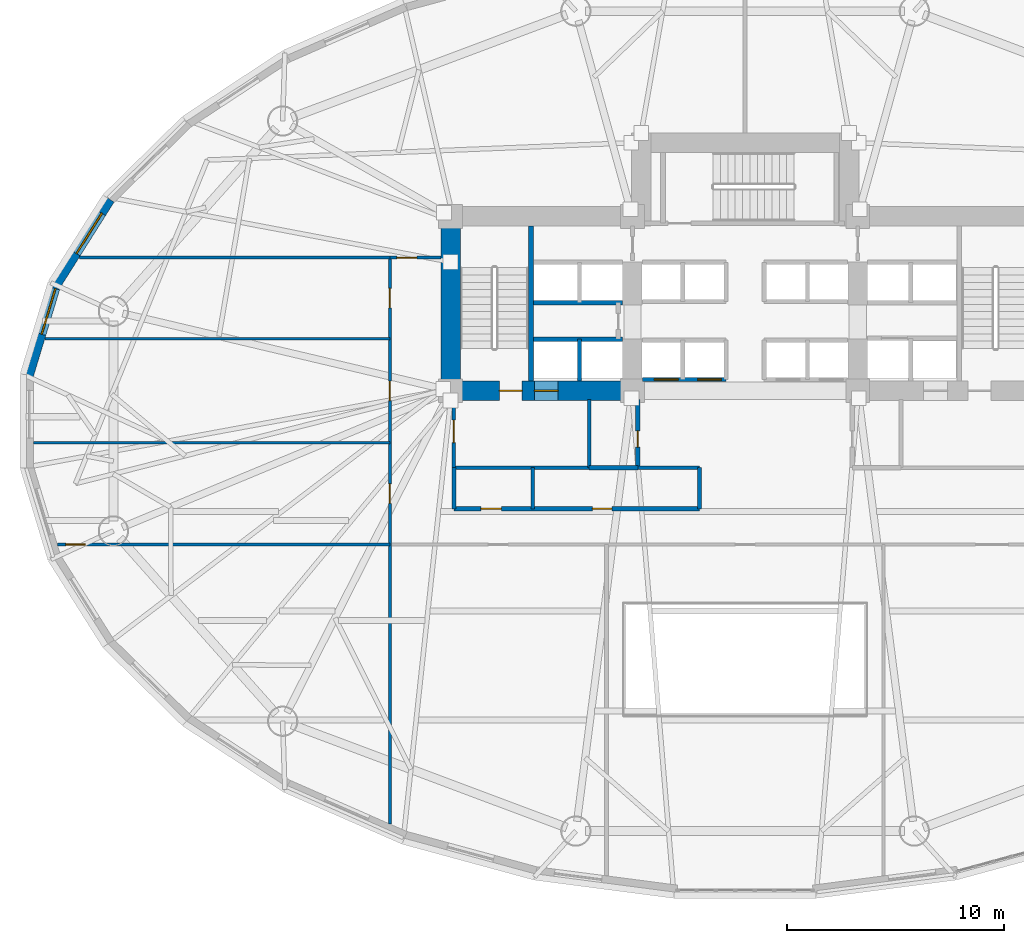
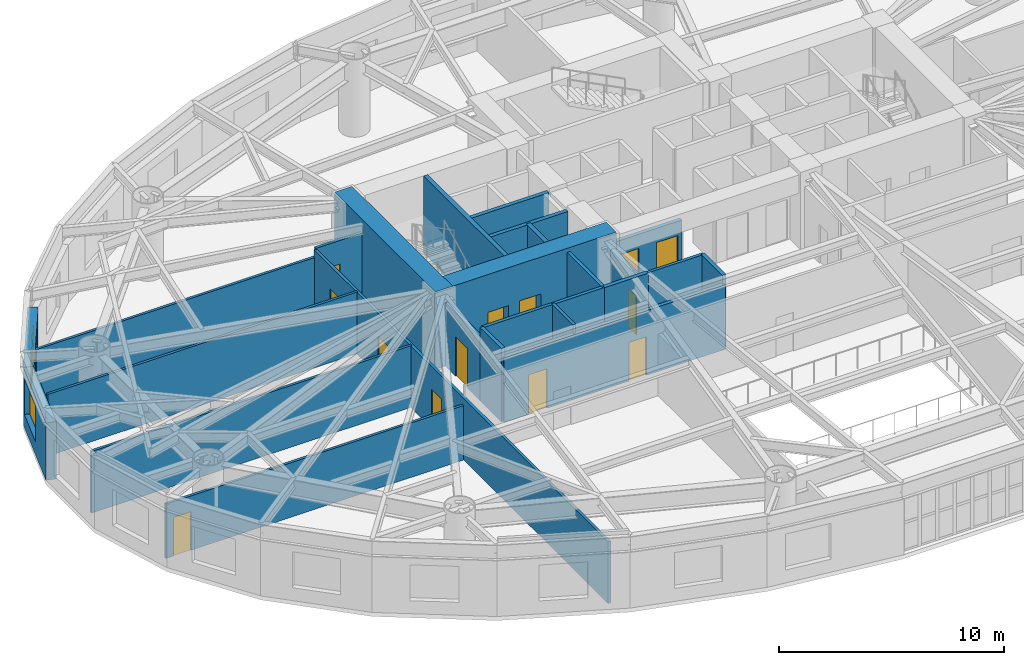
# One storey, part 9 of 19: 25 walls, 13 doors, 2 windows, 15 openings.
"""IFC4 building model written with IfcOpenShell, lengths in metres."""

from ifc_helpers import new_model, si_unit, direction, frame, frame_2d, origin, place, context, subcontext, project, spatial, rectangle, extrude, material, layer, layer_set, type_object, element, fill, save


model = new_model("IFC4")

# Units and contexts
model_context = context("Model", 3, precision=1e-05, world=origin(), true_north=direction((0.0, 1.0)))
body_context = subcontext(model_context, "Body", "Model", "MODEL_VIEW")
ifc_project = project(units=[si_unit("LENGTHUNIT", "METRE"), si_unit("AREAUNIT", "SQUARE_METRE"), si_unit("VOLUMEUNIT", "CUBIC_METRE"), si_unit("PLANEANGLEUNIT", "RADIAN"), si_unit("MASSUNIT", "GRAM", prefix="KILO")], contexts=[model_context])

# Site, building, storey
site_placement = place(None, origin())
site = spatial("IfcSite", under=ifc_project, at=site_placement, CompositionType="ELEMENT")
building_placement = place(site_placement, origin())
building = spatial("IfcBuilding", under=site, at=building_placement, Name="Keldmark Tower", CompositionType="ELEMENT")
storey_placement = place(building_placement, frame((0.0, 0.0, 10.199951171875)))
storey = spatial("IfcBuildingStorey", under=building, at=storey_placement, Name="L02", CompositionType="ELEMENT", Elevation=10.199951171875)

# Wall, openings, doors
ifc_material_1 = material(Name="Acoustic Double-Layer Gypsum Corridor Partition", Category="gypsum")
ifc_layer_1 = layer(ifc_material_1, 0.139892578125)
ifc_layer_set_1 = layer_set([ifc_layer_1], Name="Acoustic Double-Layer Gypsum Corridor Partition")
wall_type_1 = type_object("IfcWallType", Name="Acoustic Corridor Partition 140 mm", PredefinedType="PARTITIONING", material=ifc_layer_set_1)
wall_1_placement = place(storey_placement, frame((-16.39990234375, -18.6025390625, 0.0), z_axis=(0.0, 0.0, 1.0), x_axis=(0.0, 1.0, 0.0)))
wall_1 = element("IfcWall", 1, at=wall_1_placement, inside=storey, type_object=wall_type_1, Name="L02 Acoustic Corridor Partition 140 mm COR-W", PredefinedType="PARTITIONING", context=body_context, shape_type="SweptSolid", body=[
    extrude(rectangle(XDim=26.152587890625, YDim=0.139892578125, at=frame_2d((13.076171875, 0.0))), origin(), (0.0, 0.0, 1.0), 3.34814453125),
])
opening_1_placement = place(wall_1_placement, frame((14.80224609375, 0.0, 0.0)))
opening_1 = element("IfcOpeningElement", 2, at=opening_1_placement, cuts=wall_1, Name="Opening D-IN090", PredefinedType="OPENING", context=body_context, shape_type="SweptSolid", body=[
    extrude(rectangle(XDim=0.89990234375, YDim=2.10009765625, at=frame_2d((0.449951171875, 1.050048828125))), frame((0.0, 0.079833984375, 0.0), z_axis=(0.0, -1.0, 0.0), x_axis=(1.0, 0.0, 0.0)), (0.0, 0.0, 1.0), 0.159912109375),
])
opening_2_placement = place(wall_1_placement, frame((19.55224609375, 0.0, 0.0)))
opening_2 = element("IfcOpeningElement", 3, at=opening_2_placement, cuts=wall_1, Name="Opening D-IN090", PredefinedType="OPENING", context=body_context, shape_type="SweptSolid", body=[
    extrude(rectangle(XDim=0.89990234375, YDim=2.10009765625, at=frame_2d((0.449951171875, 1.050048828125))), frame((0.0, 0.079833984375, 0.0), z_axis=(0.0, -1.0, 0.0), x_axis=(1.0, 0.0, 0.0)), (0.0, 0.0, 1.0), 0.159912109375),
])
opening_3_placement = place(wall_1_placement, frame((23.827392578125, 0.0, 0.0)))
opening_3 = element("IfcOpeningElement", 4, at=opening_3_placement, cuts=wall_1, Name="Opening D-IN090", PredefinedType="OPENING", context=body_context, shape_type="SweptSolid", body=[
    extrude(rectangle(XDim=0.89990234375, YDim=2.10009765625, at=frame_2d((0.449951171875, 1.050048828125))), frame((0.0, 0.079833984375, 0.0), z_axis=(0.0, -1.0, 0.0), x_axis=(1.0, 0.0, 0.0)), (0.0, 0.0, 1.0), 0.159912109375),
])
ifc_material_2 = material(Name="Stained American White Oak Veneer", Category="wood")
door_type_1 = type_object("IfcDoorType", Name="Interior Door 900x2100", OperationType="NOTDEFINED", PredefinedType="DOOR", material=ifc_material_2)
door_1_placement = place(opening_1_placement, origin())
door_1 = element("IfcDoor", 5, at=door_1_placement, inside=storey, type_object=door_type_1, Name="L02 Interior Door 900x2100 D-WR-1-L02", OperationType="SINGLE_SWING_LEFT", OverallHeight=2.10009765625, OverallWidth=0.89990234375, PredefinedType="DOOR", context=body_context, shape_type="SweptSolid", body=[
    extrude(rectangle(XDim=0.89990234375, YDim=2.10009765625, at=frame_2d((0.449951171875, 1.050048828125))), frame((0.0, 0.02490234375, 0.0), z_axis=(0.0, -1.0, 0.0), x_axis=(1.0, 0.0, 0.0)), (0.0, 0.0, 1.0), 0.050048828125),
])
fill(opening_1, door_1)
door_2_placement = place(opening_2_placement, origin())
door_2 = element("IfcDoor", 6, at=door_2_placement, inside=storey, type_object=door_type_1, Name="L02 Interior Door 900x2100 D-WR-2-L02", OperationType="SINGLE_SWING_RIGHT", OverallHeight=2.10009765625, OverallWidth=0.89990234375, PredefinedType="DOOR", context=body_context, shape_type="SweptSolid", body=[
    extrude(rectangle(XDim=0.89990234375, YDim=2.10009765625, at=frame_2d((0.449951171875, 1.050048828125))), frame((0.0, 0.02490234375, 0.0), z_axis=(0.0, -1.0, 0.0), x_axis=(1.0, 0.0, 0.0)), (0.0, 0.0, 1.0), 0.050048828125),
])
fill(opening_2, door_2)
door_3_placement = place(opening_3_placement, origin())
door_3 = element("IfcDoor", 7, at=door_3_placement, inside=storey, type_object=door_type_1, Name="L02 Interior Door 900x2100 D-WR-3-L02", OperationType="SINGLE_SWING_LEFT", OverallHeight=2.10009765625, OverallWidth=0.89990234375, PredefinedType="DOOR", context=body_context, shape_type="SweptSolid", body=[
    extrude(rectangle(XDim=0.89990234375, YDim=2.10009765625, at=frame_2d((0.449951171875, 1.050048828125))), frame((0.0, 0.02490234375, 0.0), z_axis=(0.0, -1.0, 0.0), x_axis=(1.0, 0.0, 0.0)), (0.0, 0.0, 1.0), 0.050048828125),
])
fill(opening_3, door_3)

# Wall, opening, door
wall_2_placement = place(storey_placement, frame((-16.39990234375, 7.550048828125, 0.0), z_axis=(0.0, 0.0, 1.0), x_axis=(1.0, 0.0, 0.0)))
wall_2 = element("IfcWall", 8, at=wall_2_placement, inside=storey, type_object=wall_type_1, Name="L02 Acoustic Corridor Partition 140 mm COR-WN-CAP", PredefinedType="PARTITIONING", context=body_context, shape_type="SweptSolid", body=[
    extrude(rectangle(XDim=2.349853515625, YDim=0.139892578125, at=frame_2d((1.1748046875, 0.0))), origin(), (0.0, 0.0, 1.0), 3.43310546875),
])
opening_4_placement = place(wall_2_placement, frame((0.320068359375, 0.0, 0.0)))
opening_4 = element("IfcOpeningElement", 9, at=opening_4_placement, cuts=wall_2, Name="Opening D-EX092", PredefinedType="OPENING", context=body_context, shape_type="SweptSolid", body=[
    extrude(rectangle(XDim=0.919921875, YDim=2.14990234375, at=frame_2d((0.4599609375, 1.074951171875))), frame((0.0, 0.079833984375, 0.0), z_axis=(0.0, -1.0, 0.0), x_axis=(1.0, 0.0, 0.0)), (0.0, 0.0, 1.0), 0.159912109375),
])
ifc_material_3 = material(Name="Flush American Ash Executive Office Door", Category="wood")
door_type_2 = type_object("IfcDoorType", Name="Executive Office Door 920x2150", OperationType="NOTDEFINED", PredefinedType="DOOR", material=ifc_material_3)
door_4_placement = place(opening_4_placement, origin())
door_4 = element("IfcDoor", 10, at=door_4_placement, inside=storey, type_object=door_type_2, Name="L02 Executive Office Door 920x2150 D-NRNW-L02", OperationType="SINGLE_SWING_LEFT", OverallHeight=2.14990234375, OverallWidth=0.919921875, PredefinedType="DOOR", context=body_context, shape_type="SweptSolid", body=[
    extrude(rectangle(XDim=0.919921875, YDim=2.14990234375, at=frame_2d((0.4599609375, 1.074951171875))), frame((0.0, 0.02490234375, 0.0), z_axis=(0.0, -1.0, 0.0), x_axis=(1.0, 0.0, 0.0)), (0.0, 0.0, 1.0), 0.050048828125),
])
fill(opening_4, door_4)

# Wall, openings, doors
ifc_material_4 = material(Name="Heavy Acoustic Plumbing Chase Gypsum Assembly", Category="gypsum")
ifc_layer_2 = layer(ifc_material_4, 0.18994140625)
ifc_layer_set_2 = layer_set([ifc_layer_2], Name="Heavy Acoustic Plumbing Chase Gypsum Assembly")
wall_type_2 = type_object("IfcWallType", Name="Heavy Wet Wall 190 mm", PredefinedType="PLUMBINGWALL", material=ifc_layer_set_2)
wall_3_placement = place(storey_placement, frame((-13.449951171875, -4.050048828125, 0.0), z_axis=(0.0, 0.0, 1.0), x_axis=(1.0, 0.0, 0.0)))
wall_3 = element("IfcWall", 11, at=wall_3_placement, inside=storey, type_object=wall_type_2, Name="L02 Heavy Wet Wall 190 mm SPK-W-S", PredefinedType="PLUMBINGWALL", context=body_context, shape_type="SweptSolid", body=[
    extrude(rectangle(XDim=11.349853515625, YDim=0.18994140625, at=frame_2d((5.6748046875, 0.0))), origin(), (0.0, 0.0, 1.0), 3.507080078125),
])
opening_5_placement = place(wall_3_placement, frame((1.25, 0.0, 0.0)))
opening_5 = element("IfcOpeningElement", 12, at=opening_5_placement, cuts=wall_3, Name="Opening D-AWC95", PredefinedType="OPENING", context=body_context, shape_type="SweptSolid", body=[
    extrude(rectangle(XDim=0.949951171875, YDim=2.14990234375, at=frame_2d((0.47509765625, 1.074951171875))), frame((0.0, 0.10498046875, 0.0), z_axis=(0.0, -1.0, 0.0), x_axis=(1.0, 0.0, 0.0)), (0.0, 0.0, 1.0), 0.2099609375),
])
opening_6_placement = place(wall_3_placement, frame((6.39990234375, 0.0, 0.0)))
opening_6 = element("IfcOpeningElement", 13, at=opening_6_placement, cuts=wall_3, Name="Opening D-IN090", PredefinedType="OPENING", context=body_context, shape_type="SweptSolid", body=[
    extrude(rectangle(XDim=0.89990234375, YDim=2.10009765625, at=frame_2d((0.449951171875, 1.050048828125))), frame((0.0, 0.10498046875, 0.0), z_axis=(0.0, -1.0, 0.0), x_axis=(1.0, 0.0, 0.0)), (0.0, 0.0, 1.0), 0.2099609375),
])
ifc_material_5 = material(Name="Painted Solid-Core Architectural Wood", Category="wood")
door_type_3 = type_object("IfcDoorType", Name="Accessible WC Door 950x2150", OperationType="NOTDEFINED", PredefinedType="DOOR", material=ifc_material_5)
door_5_placement = place(opening_5_placement, origin())
door_5 = element("IfcDoor", 14, at=door_5_placement, inside=storey, type_object=door_type_3, Name="L02 Accessible WC Door 950x2150 D-SPKW1-L02", OperationType="SINGLE_SWING_LEFT", OverallHeight=2.14990234375, OverallWidth=0.949951171875, PredefinedType="DOOR", context=body_context, shape_type="SweptSolid", body=[
    extrude(rectangle(XDim=0.949951171875, YDim=2.14990234375, at=frame_2d((0.47509765625, 1.074951171875))), frame((0.0, 0.02490234375, 0.0), z_axis=(0.0, -1.0, 0.0), x_axis=(1.0, 0.0, 0.0)), (0.0, 0.0, 1.0), 0.050048828125),
])
fill(opening_5, door_5)
door_6_placement = place(opening_6_placement, origin())
door_6 = element("IfcDoor", 15, at=door_6_placement, inside=storey, type_object=door_type_1, Name="L02 Interior Door 900x2100 D-SPKW2-L02", OperationType="SINGLE_SWING_RIGHT", OverallHeight=2.10009765625, OverallWidth=0.89990234375, PredefinedType="DOOR", context=body_context, shape_type="SweptSolid", body=[
    extrude(rectangle(XDim=0.89990234375, YDim=2.10009765625, at=frame_2d((0.449951171875, 1.050048828125))), frame((0.0, 0.02490234375, 0.0), z_axis=(0.0, -1.0, 0.0), x_axis=(1.0, 0.0, 0.0)), (0.0, 0.0, 1.0), 0.050048828125),
])
fill(opening_6, door_6)

# Walls
for number, where, z_axis, x_axis, name in (
    (16, (-13.449951171875, -4.050048828125, 0.0), (0.0, 0.0, 1.0), (0.0, 1.0, 0.0), "L02 Heavy Wet Wall 190 mm SPK-W-W"),
    (17, (-2.10009765625, -4.050048828125, 0.0), (0.0, 0.0, 1.0), (0.0, 1.0, 0.0), "L02 Heavy Wet Wall 190 mm SPK-W-E"),
):
    element("IfcWall", number, at=place(storey_placement, frame(where, z_axis=z_axis, x_axis=x_axis)), inside=storey, type_object=wall_type_2, Name=name, PredefinedType="PLUMBINGWALL", context=body_context, shape_type="SweptSolid", body=[
        extrude(rectangle(XDim=1.900146484375, YDim=0.18994140625, at=frame_2d((0.9501953125, 0.0))), origin(), (0.0, 0.0, 1.0), 3.97998046875),
    ])
ifc_material_6 = material(Name="Acoustic Gypsum Board Interior Partition", Category="gypsum")
ifc_layer_3 = layer(ifc_material_6, 0.1298828125)
ifc_layer_set_3 = layer_set([ifc_layer_3], Name="Acoustic Gypsum Board Interior Partition")
wall_type_3 = type_object("IfcWallType", Name="Interior Partition 130 mm", PredefinedType="PARTITIONING", material=ifc_layer_set_3)
wall_4_placement = place(storey_placement, frame((-30.74658203125, 7.550048828125, 0.0), z_axis=(0.0, 0.0, 1.0), x_axis=(1.0, 0.0, 0.0)))
element("IfcWall", 18, at=wall_4_placement, inside=storey, type_object=wall_type_3, Name="L02 Interior Partition 130 mm W-CAP-N", PredefinedType="PARTITIONING", context=body_context, shape_type="SweptSolid", body=[
    extrude(rectangle(XDim=14.3466796875, YDim=0.1298828125, at=frame_2d((7.17333984375, 0.0))), origin(), (0.0, 0.0, 1.0), 2.9580078125),
])

# Wall, opening, door
wall_5_placement = place(storey_placement, frame((-31.755615234375, -5.699951171875, 0.0), z_axis=(0.0, 0.0, 1.0), x_axis=(1.0, 0.0, 0.0)))
wall_5 = element("IfcWall", 19, at=wall_5_placement, inside=storey, type_object=wall_type_3, Name="L02 Interior Partition 130 mm W-CAP-S", PredefinedType="PARTITIONING", context=body_context, shape_type="SweptSolid", body=[
    extrude(rectangle(XDim=15.355712890625, YDim=0.1298828125, at=frame_2d((7.677734375, 0.0))), origin(), (0.0, 0.0, 1.0), 2.9580078125),
])
opening_7_placement = place(wall_5_placement, frame((0.389892578125, 0.0, 0.0)))
opening_7 = element("IfcOpeningElement", 20, at=opening_7_placement, cuts=wall_5, Name="Opening D-IN090", PredefinedType="OPENING", context=body_context, shape_type="SweptSolid", body=[
    extrude(rectangle(XDim=0.89990234375, YDim=2.10009765625, at=frame_2d((0.449951171875, 1.050048828125))), frame((0.0, 0.074951171875, 0.0), z_axis=(0.0, -1.0, 0.0), x_axis=(1.0, 0.0, 0.0)), (0.0, 0.0, 1.0), 0.14990234375),
])
door_7_placement = place(opening_7_placement, origin())
door_7 = element("IfcDoor", 21, at=door_7_placement, inside=storey, type_object=door_type_1, Name="L02 Interior Door 900x2100 D-WRSW-L02", OperationType="SINGLE_SWING_LEFT", OverallHeight=2.10009765625, OverallWidth=0.89990234375, PredefinedType="DOOR", context=body_context, shape_type="SweptSolid", body=[
    extrude(rectangle(XDim=0.89990234375, YDim=2.10009765625, at=frame_2d((0.449951171875, 1.050048828125))), frame((0.0, 0.02490234375, 0.0), z_axis=(0.0, -1.0, 0.0), x_axis=(1.0, 0.0, 0.0)), (0.0, 0.0, 1.0), 0.050048828125),
])
fill(opening_7, door_7)

# Walls
wall_6_placement = place(storey_placement, frame((-32.8505859375, -1.0, 0.0), z_axis=(0.0, 0.0, 1.0), x_axis=(1.0, 0.0, 0.0)))
element("IfcWall", 22, at=wall_6_placement, inside=storey, type_object=wall_type_3, Name="L02 Interior Partition 130 mm W-DIV-1", PredefinedType="PARTITIONING", context=body_context, shape_type="SweptSolid", body=[
    extrude(rectangle(XDim=16.45068359375, YDim=0.1298828125, at=frame_2d((8.225341796875, 0.0))), origin(), (0.0, 0.0, 1.0), 3.34814453125),
])
wall_7_placement = place(storey_placement, frame((-32.3310546875, 3.800048828125, 0.0), z_axis=(0.0, 0.0, 1.0), x_axis=(1.0, 0.0, 0.0)))
element("IfcWall", 23, at=wall_7_placement, inside=storey, type_object=wall_type_3, Name="L02 Interior Partition 130 mm W-DIV-2", PredefinedType="PARTITIONING", context=body_context, shape_type="SweptSolid", body=[
    extrude(rectangle(XDim=15.93115234375, YDim=0.1298828125, at=frame_2d((7.965576171875, 0.0))), origin(), (0.0, 0.0, 1.0), 3.34814453125),
])
ifc_material_7 = material(Name="Concrete C70/85", Category="concrete")
ifc_layer_4 = layer(ifc_material_7, 0.89990234375)
ifc_layer_set_4 = layer_set([ifc_layer_4], Name="Concrete C70/85")
wall_type_4 = type_object("IfcWallType", Name="Lower Core Shear Wall 900 mm", PredefinedType="SHEAR", material=ifc_layer_set_4)
wall_8_placement = place(storey_placement, frame((-13.60009765625, 0.949951171875, 0.0), z_axis=(0.0, 0.0, 1.0), x_axis=(0.0, 1.0, 0.0)))
element("IfcWall", 24, at=wall_8_placement, inside=storey, type_object=wall_type_4, Name="L02 West Core Outer Shear Wall", PredefinedType="SHEAR", context=body_context, shape_type="SweptSolid", body=[
    extrude(rectangle(XDim=8.949951171875, YDim=0.89990234375, at=frame_2d((4.47509765625, 0.0))), origin(), (0.0, 0.0, 1.0), 4.199951171875),
])

# Wall, openings, doors
wall_9_placement = place(storey_placement, frame((-4.75, 1.39990234375, 0.0), z_axis=(0.0, 0.0, 1.0), x_axis=(-1.0, 0.0, 0.0)))
wall_9 = element("IfcWall", 25, at=wall_9_placement, inside=storey, type_object=wall_type_4, Name="L02 West Core South Shear Wall", PredefinedType="SHEAR", context=body_context, shape_type="SweptSolid", body=[
    extrude(rectangle(XDim=9.300048828125, YDim=0.89990234375, at=frame_2d((4.64990234375, 0.0))), origin(), (0.0, 0.0, 1.0), 4.199951171875),
])
opening_8_placement = place(wall_9_placement, frame((5.550048828125, 0.0, 0.0)))
opening_8 = element("IfcOpeningElement", 26, at=opening_8_placement, cuts=wall_9, Name="Opening D-ST105", PredefinedType="OPENING", context=body_context, shape_type="SweptSolid", body=[
    extrude(rectangle(XDim=1.050048828125, YDim=2.14990234375, at=frame_2d((0.52490234375, 1.074951171875))), frame((0.0, 0.4599609375, 0.0), z_axis=(0.0, -1.0, 0.0), x_axis=(1.0, 0.0, 0.0)), (0.0, 0.0, 1.0), 0.919921875),
])
opening_9_placement = place(wall_9_placement, frame((3.8798828125, 0.0, 0.0)))
opening_9 = element("IfcOpeningElement", 27, at=opening_9_placement, cuts=wall_9, Name="Opening LD-110", PredefinedType="OPENING", context=body_context, shape_type="SweptSolid", body=[
    extrude(rectangle(XDim=1.10009765625, YDim=2.199951171875, at=frame_2d((0.550048828125, 1.10009765625))), frame((0.0, 0.4599609375, 0.0), z_axis=(0.0, -1.0, 0.0), x_axis=(1.0, 0.0, 0.0)), (0.0, 0.0, 1.0), 0.919921875),
])
ifc_material_8 = material(Name="Brushed Bronze Hoistway Sliding Leaf", Category="metal")
door_type_4 = type_object("IfcDoorType", Name="Lift Landing Sliding Door 1100x2200", OperationType="SLIDING_TO_LEFT", PredefinedType="DOOR", material=ifc_material_8)
door_8_placement = place(opening_9_placement, origin())
door_8 = element("IfcDoor", 28, at=door_8_placement, inside=storey, type_object=door_type_4, Name="L02 Lift Landing Sliding Door 1100x2200 LD-EL-FS1-L02", OperationType="SLIDING_TO_LEFT", OverallHeight=2.199951171875, OverallWidth=1.10009765625, PredefinedType="DOOR", context=body_context, shape_type="SweptSolid", body=[
    extrude(rectangle(XDim=1.10009765625, YDim=2.199951171875, at=frame_2d((0.550048828125, 1.10009765625))), frame((0.0, 0.02490234375, 0.0), z_axis=(0.0, -1.0, 0.0), x_axis=(1.0, 0.0, 0.0)), (0.0, 0.0, 1.0), 0.050048828125),
])
fill(opening_9, door_8)
ifc_material_9 = material(Name="Hollow Metal Fire-Rated Door Assembly", Category="metal")
door_type_5 = type_object("IfcDoorType", Name="Stair Fire Door 1050x2150", OperationType="NOTDEFINED", PredefinedType="DOOR", material=ifc_material_9)
door_9_placement = place(opening_8_placement, origin())
door_9 = element("IfcDoor", 29, at=door_9_placement, inside=storey, type_object=door_type_5, Name="L02 Stair Fire Door 1050x2150 D-ST1-L02", OperationType="SINGLE_SWING_RIGHT", OverallHeight=2.14990234375, OverallWidth=1.050048828125, PredefinedType="DOOR", context=body_context, shape_type="SweptSolid", body=[
    extrude(rectangle(XDim=1.050048828125, YDim=2.14990234375, at=frame_2d((0.52490234375, 1.074951171875))), frame((0.0, 0.02490234375, 0.0), z_axis=(0.0, -1.0, 0.0), x_axis=(1.0, 0.0, 0.0)), (0.0, 0.0, 1.0), 0.050048828125),
])
fill(opening_8, door_9)

# Wall, opening, window
ifc_material_10 = material(Name="Ironspot Manganese Brick and Kasota Buff Limestone Cavity Assembly", Category="masonry")
ifc_layer_5 = layer(ifc_material_10, 0.47998046875)
ifc_layer_set_5 = layer_set([ifc_layer_5], Name="Ironspot Manganese Brick and Kasota Buff Limestone Cavity Assembly")
wall_type_5 = type_object("IfcWallType", Name="Podium Brick and Limestone Cavity Wall 480 mm", PredefinedType="STANDARD", material=ifc_layer_set_5)
wall_10_placement = place(storey_placement, frame((-31.8544921875, 6.25830078125, 0.0), z_axis=(0.0, 0.0, 1.0), x_axis=(0.53349762721, 0.845801561693, 0.0)))
wall_10 = element("IfcWall", 30, at=wall_10_placement, inside=storey, type_object=wall_type_5, Name="L02 Exterior Brick and Spandrel Wall 14", PredefinedType="STANDARD", context=body_context, shape_type="SweptSolid", body=[
    extrude(rectangle(XDim=4.710693359375, YDim=0.47998046875, at=frame_2d((2.35546875, 0.0))), origin(), (0.0, 0.0, 1.0), 3.109130859375),
])
opening_10_placement = place(wall_10_placement, frame((1.770751953125, 0.0, 0.699951171875)))
opening_10 = element("IfcOpeningElement", 31, at=opening_10_placement, cuts=wall_10, Name="Opening W-01", PredefinedType="OPENING", context=body_context, shape_type="SweptSolid", body=[
    extrude(rectangle(XDim=2.199951171875, YDim=1.949951171875, at=frame_2d((1.10009765625, 0.97509765625))), frame((0.0, 0.25, 0.0), z_axis=(0.0, -1.0, 0.0), x_axis=(1.0, 0.0, 0.0)), (0.0, 0.0, 1.0), 0.5),
])
ifc_material_11 = material(Name="Thermally Broken Anodized Aluminum and Triple Low-E Argon Glazing", Category="aluminium")
window_type = type_object("IfcWindowType", Name="Podium Arched-Head Punched Window 2200x1950", PartitioningType="SINGLE_PANEL", PredefinedType="WINDOW", material=ifc_material_11)
window_1_placement = place(opening_10_placement, origin())
window_1 = element("IfcWindow", 32, at=window_1_placement, inside=storey, type_object=window_type, Name="L02 Deep-Set Window 14", OverallHeight=1.949951171875, OverallWidth=2.199951171875, PartitioningType="SINGLE_PANEL", PredefinedType="WINDOW", context=body_context, shape_type="SweptSolid", body=[
    extrude(rectangle(XDim=2.199951171875, YDim=1.949951171875, at=frame_2d((1.10009765625, 0.97509765625))), frame((0.0, -0.010009765625, 0.0), z_axis=(0.0, -1.0, 0.0), x_axis=(1.0, 0.0, 0.0)), (0.0, 0.0, 1.0), 0.06005859375),
])
fill(opening_10, window_1)

wall_11_placement = place(storey_placement, frame((-33.10888671875, 2.0869140625, 0.0), z_axis=(0.0, 0.0, 1.0), x_axis=(0.289855603468, 0.957070388811, 0.0)))
wall_11 = element("IfcWall", 33, at=wall_11_placement, inside=storey, type_object=wall_type_5, Name="L02 Exterior Brick and Spandrel Wall 15", PredefinedType="STANDARD", context=body_context, shape_type="SweptSolid", body=[
    extrude(rectangle(XDim=4.41943359375, YDim=0.47998046875, at=frame_2d((2.209716796875, 0.0))), origin(), (0.0, 0.0, 1.0), 3.109130859375),
])
opening_11_placement = place(wall_11_placement, frame((2.019775390625, 0.0, 0.699951171875)))
opening_11 = element("IfcOpeningElement", 34, at=opening_11_placement, cuts=wall_11, Name="Opening W-01", PredefinedType="OPENING", context=body_context, shape_type="SweptSolid", body=[
    extrude(rectangle(XDim=2.199951171875, YDim=1.949951171875, at=frame_2d((1.10009765625, 0.97509765625))), frame((0.0, 0.25, 0.0), z_axis=(0.0, -1.0, 0.0), x_axis=(1.0, 0.0, 0.0)), (0.0, 0.0, 1.0), 0.5),
])
window_2_placement = place(opening_11_placement, origin())
window_2 = element("IfcWindow", 35, at=window_2_placement, inside=storey, type_object=window_type, Name="L02 Deep-Set Window 15", OverallHeight=1.949951171875, OverallWidth=2.199951171875, PartitioningType="SINGLE_PANEL", PredefinedType="WINDOW", context=body_context, shape_type="SweptSolid", body=[
    extrude(rectangle(XDim=2.199951171875, YDim=1.949951171875, at=frame_2d((1.10009765625, 0.97509765625))), frame((0.0, -0.010009765625, 0.0), z_axis=(0.0, -1.0, 0.0), x_axis=(1.0, 0.0, 0.0)), (0.0, 0.0, 1.0), 0.06005859375),
])
fill(opening_11, window_2)

# Wall
ifc_material_12 = material(Name="Type X Fire-Rated Gypsum Partition Assembly", Category="gypsum")
ifc_layer_6 = layer(ifc_material_12, 0.1650390625)
ifc_layer_set_6 = layer_set([ifc_layer_6], Name="Type X Fire-Rated Gypsum Partition Assembly")
wall_type_6 = type_object("IfcWallType", Name="Rated Partition 165 mm", PredefinedType="PARTITIONING", material=ifc_layer_set_6)
wall_12_placement = place(storey_placement, frame((-13.449951171875, -2.14990234375, 0.0), z_axis=(0.0, 0.0, 1.0), x_axis=(1.0, 0.0, 0.0)))
element("IfcWall", 36, at=wall_12_placement, inside=storey, type_object=wall_type_6, Name="L02 Rated Partition 165 mm FSAE-W-S", PredefinedType="PARTITIONING", context=body_context, shape_type="SweptSolid", body=[
    extrude(rectangle(XDim=6.25, YDim=0.1650390625, at=frame_2d((3.125, 0.0))), origin(), (0.0, 0.0, 1.0), 3.97998046875),
])

# Wall, opening, door
wall_13_placement = place(storey_placement, frame((-13.449951171875, -2.14990234375, 0.0), z_axis=(0.0, 0.0, 1.0), x_axis=(0.0, 1.0, 0.0)))
wall_13 = element("IfcWall", 37, at=wall_13_placement, inside=storey, type_object=wall_type_6, Name="L02 Rated Partition 165 mm FSAE-W-W", PredefinedType="PARTITIONING", context=body_context, shape_type="SweptSolid", body=[
    extrude(rectangle(XDim=3.14990234375, YDim=0.1650390625, at=frame_2d((1.574951171875, 0.0))), origin(), (0.0, 0.0, 1.0), 3.43310546875),
])
opening_12_placement = place(wall_13_placement, frame((1.14990234375, 0.0, 0.0)))
opening_12 = element("IfcOpeningElement", 38, at=opening_12_placement, cuts=wall_13, Name="Opening D-FL105", PredefinedType="OPENING", context=body_context, shape_type="SweptSolid", body=[
    extrude(rectangle(XDim=1.050048828125, YDim=2.14990234375, at=frame_2d((0.52490234375, 1.074951171875))), frame((0.0, 0.092529296875, 0.0), z_axis=(0.0, -1.0, 0.0), x_axis=(1.0, 0.0, 0.0)), (0.0, 0.0, 1.0), 0.18505859375),
])
ifc_material_13 = material(Name="Fire-Rated Mineral-Core Door and Vision Lite", Category="metal")
door_type_6 = type_object("IfcDoorType", Name="Fire Lobby Door 1050x2150", OperationType="NOTDEFINED", PredefinedType="DOOR", material=ifc_material_13)
door_10_placement = place(opening_12_placement, origin())
door_10 = element("IfcDoor", 39, at=door_10_placement, inside=storey, type_object=door_type_6, Name="L02 Fire Lobby Door 1050x2150 D-FSAEW-OUT-L02", OperationType="SINGLE_SWING_LEFT", OverallHeight=2.14990234375, OverallWidth=1.050048828125, PredefinedType="DOOR", context=body_context, shape_type="SweptSolid", body=[
    extrude(rectangle(XDim=1.050048828125, YDim=2.14990234375, at=frame_2d((0.52490234375, 1.074951171875))), frame((0.0, 0.02490234375, 0.0), z_axis=(0.0, -1.0, 0.0), x_axis=(1.0, 0.0, 0.0)), (0.0, 0.0, 1.0), 0.050048828125),
])
fill(opening_12, door_10)

# Walls
wall_14_placement = place(storey_placement, frame((-7.199951171875, -2.14990234375, 0.0), z_axis=(0.0, 0.0, 1.0), x_axis=(0.0, 1.0, 0.0)))
element("IfcWall", 40, at=wall_14_placement, inside=storey, type_object=wall_type_6, Name="L02 Rated Partition 165 mm FSAE-W-E", PredefinedType="PARTITIONING", context=body_context, shape_type="SweptSolid", body=[
    extrude(rectangle(XDim=3.14990234375, YDim=0.1650390625, at=frame_2d((1.574951171875, 0.0))), origin(), (0.0, 0.0, 1.0), 3.97998046875),
])
ifc_material_14 = material(Name="Fire-Resistant Type X Gypsum Shaftliner Coreboard", Category="gypsum")
ifc_layer_7 = layer(ifc_material_14, 0.199951171875)
ifc_layer_set_7 = layer_set([ifc_layer_7], Name="Fire-Resistant Type X Gypsum Shaftliner Coreboard")
wall_type_7 = type_object("IfcWallType", Name="Shaft Wall 200 mm", PredefinedType="SOLIDWALL", material=ifc_layer_set_7)
wall_15_placement = place(storey_placement, frame((-7.199951171875, -2.14990234375, 0.0), z_axis=(0.0, 0.0, 1.0), x_axis=(1.0, 0.0, 0.0)))
element("IfcWall", 41, at=wall_15_placement, inside=storey, type_object=wall_type_7, Name="L02 Shaft Wall 200 mm RIS-SW-S", PredefinedType="SOLIDWALL", context=body_context, shape_type="SweptSolid", body=[
    extrude(rectangle(XDim=2.25, YDim=0.199951171875, at=frame_2d((1.125, 0.0))), origin(), (0.0, 0.0, 1.0), 3.97998046875),
])

# Wall, opening, door
wall_16_placement = place(storey_placement, frame((-4.949951171875, -2.14990234375, 0.0), z_axis=(0.0, 0.0, 1.0), x_axis=(0.0, 1.0, 0.0)))
wall_16 = element("IfcWall", 42, at=wall_16_placement, inside=storey, type_object=wall_type_7, Name="L02 Shaft Wall 200 mm RIS-SW-E", PredefinedType="SOLIDWALL", context=body_context, shape_type="SweptSolid", body=[
    extrude(rectangle(XDim=3.14990234375, YDim=0.199951171875, at=frame_2d((1.574951171875, 0.0))), origin(), (0.0, 0.0, 1.0), 3.34814453125),
])
opening_13_placement = place(wall_16_placement, frame((0.949951171875, 0.0, 0.0)))
opening_13 = element("IfcOpeningElement", 43, at=opening_13_placement, cuts=wall_16, Name="Opening D-RS075", PredefinedType="OPENING", context=body_context, shape_type="SweptSolid", body=[
    extrude(rectangle(XDim=0.75, YDim=2.10009765625, at=frame_2d((0.375, 1.050048828125))), frame((0.0, 0.10986328125, 0.0), z_axis=(0.0, -1.0, 0.0), x_axis=(1.0, 0.0, 0.0)), (0.0, 0.0, 1.0), 0.219970703125),
])
ifc_material_15 = material(Name="Galvanized Fire-Rated Access Leaf", Category="metal")
door_type_7 = type_object("IfcDoorType", Name="Riser Access Door 750x2100", OperationType="NOTDEFINED", PredefinedType="DOOR", material=ifc_material_15)
door_11_placement = place(opening_13_placement, origin())
door_11 = element("IfcDoor", 44, at=door_11_placement, inside=storey, type_object=door_type_7, Name="L02 Riser Access Door 750x2100 D-RISSW-L02", OperationType="SINGLE_SWING_RIGHT", OverallHeight=2.10009765625, OverallWidth=0.75, PredefinedType="DOOR", context=body_context, shape_type="SweptSolid", body=[
    extrude(rectangle(XDim=0.75, YDim=2.10009765625, at=frame_2d((0.375, 1.050048828125))), frame((0.0, 0.02490234375, 0.0), z_axis=(0.0, -1.0, 0.0), x_axis=(1.0, 0.0, 0.0)), (0.0, 0.0, 1.0), 0.050048828125),
])
fill(opening_13, door_11)

# Walls
wall_17_placement = place(storey_placement, frame((-9.780029296875, 3.780029296875, 0.0), z_axis=(0.0, 0.0, 1.0), x_axis=(1.0, 0.0, 0.0)))
element("IfcWall", 45, at=wall_17_placement, inside=storey, type_object=wall_type_7, Name="L02 Shaft Wall 200 mm HW-W-S", PredefinedType="SOLIDWALL", context=body_context, shape_type="SweptSolid", body=[
    extrude(rectangle(XDim=4.130126953125, YDim=0.199951171875, at=frame_2d((2.06494140625, 0.0))), origin(), (0.0, 0.0, 1.0), 3.97998046875),
])
wall_18_placement = place(storey_placement, frame((-7.64990234375, 1.85009765625, 0.0), z_axis=(0.0, 0.0, 1.0), x_axis=(0.0, 1.0, 0.0)))
element("IfcWall", 46, at=wall_18_placement, inside=storey, type_object=wall_type_7, Name="L02 Shaft Wall 200 mm HW-W-M", PredefinedType="SOLIDWALL", context=body_context, shape_type="SweptSolid", body=[
    extrude(rectangle(XDim=1.929931640625, YDim=0.199951171875, at=frame_2d((0.96484375, 0.0))), origin(), (0.0, 0.0, 1.0), 3.97998046875),
])
wall_19_placement = place(storey_placement, frame((-9.780029296875, 5.469970703125, 0.0), z_axis=(0.0, 0.0, 1.0), x_axis=(1.0, 0.0, 0.0)))
element("IfcWall", 47, at=wall_19_placement, inside=storey, type_object=wall_type_7, Name="L02 Shaft Wall 200 mm HW-W-N", PredefinedType="SOLIDWALL", context=body_context, shape_type="SweptSolid", body=[
    extrude(rectangle(XDim=4.130126953125, YDim=0.199951171875, at=frame_2d((2.06494140625, 0.0))), origin(), (0.0, 0.0, 1.0), 3.97998046875),
])

# Wall, openings, doors
wall_20_placement = place(storey_placement, frame((-4.739990234375, 1.919921875, 0.0), z_axis=(0.0, 0.0, 1.0), x_axis=(1.0, 0.0, 0.0)))
wall_20 = element("IfcWall", 48, at=wall_20_placement, inside=storey, type_object=wall_type_7, Name="L02 Shaft Wall 200 mm LOW-S-W", PredefinedType="SOLIDWALL", context=body_context, shape_type="SweptSolid", body=[
    extrude(rectangle(XDim=3.860107421875, YDim=0.199951171875, at=frame_2d((1.93017578125, 0.0))), origin(), (0.0, 0.0, 1.0), 2.969970703125),
])
opening_14_placement = place(wall_20_placement, frame((0.550048828125, 0.0, 0.0)))
opening_14 = element("IfcOpeningElement", 49, at=opening_14_placement, cuts=wall_20, Name="Opening LD-110", PredefinedType="OPENING", context=body_context, shape_type="SweptSolid", body=[
    extrude(rectangle(XDim=1.10009765625, YDim=2.199951171875, at=frame_2d((0.550048828125, 1.10009765625))), frame((0.0, 0.10986328125, 0.0), z_axis=(0.0, -1.0, 0.0), x_axis=(1.0, 0.0, 0.0)), (0.0, 0.0, 1.0), 0.219970703125),
])
opening_15_placement = place(wall_20_placement, frame((2.550048828125, 0.0, 0.0)))
opening_15 = element("IfcOpeningElement", 50, at=opening_15_placement, cuts=wall_20, Name="Opening LD-110", PredefinedType="OPENING", context=body_context, shape_type="SweptSolid", body=[
    extrude(rectangle(XDim=1.10009765625, YDim=2.199951171875, at=frame_2d((0.550048828125, 1.10009765625))), frame((0.0, 0.10986328125, 0.0), z_axis=(0.0, -1.0, 0.0), x_axis=(1.0, 0.0, 0.0)), (0.0, 0.0, 1.0), 0.219970703125),
])
door_12_placement = place(opening_14_placement, origin())
door_12 = element("IfcDoor", 51, at=door_12_placement, inside=storey, type_object=door_type_4, Name="L02 Lift Landing Sliding Door 1100x2200 LD-EL-L1-L02", OperationType="SLIDING_TO_LEFT", OverallHeight=2.199951171875, OverallWidth=1.10009765625, PredefinedType="DOOR", context=body_context, shape_type="SweptSolid", body=[
    extrude(rectangle(XDim=1.10009765625, YDim=2.199951171875, at=frame_2d((0.550048828125, 1.10009765625))), frame((0.0, 0.02490234375, 0.0), z_axis=(0.0, -1.0, 0.0), x_axis=(1.0, 0.0, 0.0)), (0.0, 0.0, 1.0), 0.050048828125),
])
fill(opening_14, door_12)
door_13_placement = place(opening_15_placement, origin())
door_13 = element("IfcDoor", 52, at=door_13_placement, inside=storey, type_object=door_type_4, Name="L02 Lift Landing Sliding Door 1100x2200 LD-EL-L2-L02", OperationType="SLIDING_TO_LEFT", OverallHeight=2.199951171875, OverallWidth=1.10009765625, PredefinedType="DOOR", context=body_context, shape_type="SweptSolid", body=[
    extrude(rectangle(XDim=1.10009765625, YDim=2.199951171875, at=frame_2d((0.550048828125, 1.10009765625))), frame((0.0, 0.02490234375, 0.0), z_axis=(0.0, -1.0, 0.0), x_axis=(1.0, 0.0, 0.0)), (0.0, 0.0, 1.0), 0.050048828125),
])
fill(opening_15, door_13)

# Walls
ifc_material_16 = material(Name="Concrete C50/60", Category="concrete")
ifc_layer_8 = layer(ifc_material_16, 0.219970703125)
ifc_layer_set_8 = layer_set([ifc_layer_8], Name="Concrete C50/60")
wall_type_8 = type_object("IfcWallType", Name="Stair Core Shear Wall 220 mm", PredefinedType="SHEAR", material=ifc_layer_set_8)
wall_21_placement = place(storey_placement, frame((-9.889892578125, 1.85009765625, 0.0), z_axis=(0.0, 0.0, 1.0), x_axis=(0.0, 1.0, 0.0)))
element("IfcWall", 53, at=wall_21_placement, inside=storey, type_object=wall_type_8, Name="L02 West Stair Core Shear Wall", PredefinedType="SHEAR", context=body_context, shape_type="SweptSolid", body=[
    extrude(rectangle(XDim=7.14990234375, YDim=0.219970703125, at=frame_2d((3.574951171875, 0.0))), origin(), (0.0, 0.0, 1.0), 4.199951171875),
])
ifc_material_17 = material(Name="Moisture-Resistant Gypsum Plumbing Partition", Category="gypsum")
ifc_layer_9 = layer(ifc_material_17, 0.14990234375)
ifc_layer_set_9 = layer_set([ifc_layer_9], Name="Moisture-Resistant Gypsum Plumbing Partition")
wall_type_9 = type_object("IfcWallType", Name="Wet Wall 150 mm", PredefinedType="PLUMBINGWALL", material=ifc_layer_set_9)
wall_22_placement = place(storey_placement, frame((-4.949951171875, -2.14990234375, 0.0), z_axis=(0.0, 0.0, 1.0), x_axis=(1.0, 0.0, 0.0)))
element("IfcWall", 54, at=wall_22_placement, inside=storey, type_object=wall_type_9, Name="L02 Wet Wall 150 mm SPK-W-N", PredefinedType="PLUMBINGWALL", context=body_context, shape_type="SweptSolid", body=[
    extrude(rectangle(XDim=2.849853515625, YDim=0.14990234375, at=frame_2d((1.4248046875, 0.0))), origin(), (0.0, 0.0, 1.0), 3.97998046875),
])
wall_23_placement = place(storey_placement, frame((-9.800048828125, -4.050048828125, 0.0), z_axis=(0.0, 0.0, 1.0), x_axis=(0.0, 1.0, 0.0)))
element("IfcWall", 55, at=wall_23_placement, inside=storey, type_object=wall_type_9, Name="L02 Wet Wall 150 mm SPK-W-D1", PredefinedType="PLUMBINGWALL", context=body_context, shape_type="SweptSolid", body=[
    extrude(rectangle(XDim=1.900146484375, YDim=0.14990234375, at=frame_2d((0.9501953125, 0.0))), origin(), (0.0, 0.0, 1.0), 3.97998046875),
])

save(model, "model.ifc")
